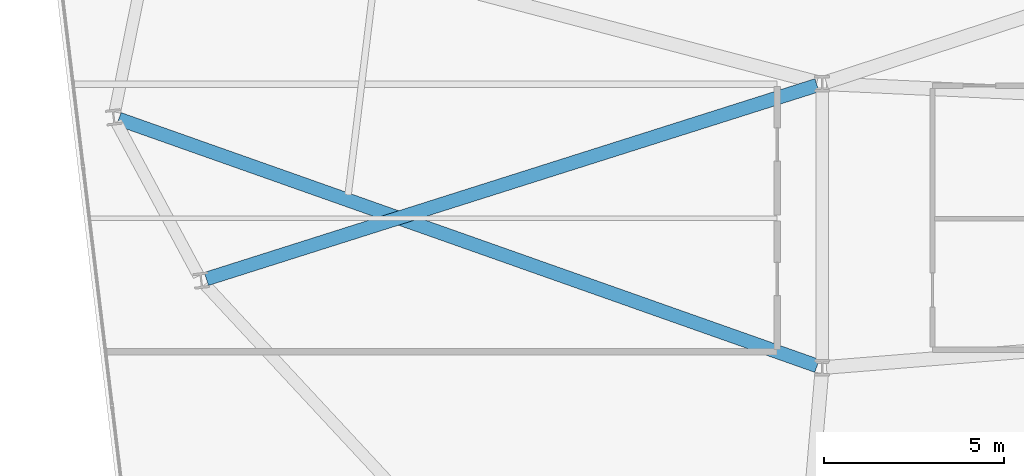
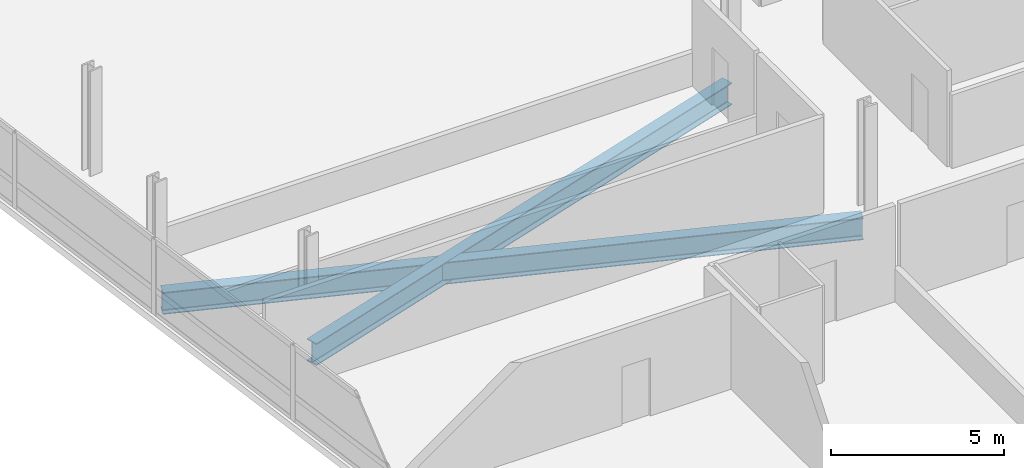
# One storey, part 5 of 22: 2 beams.
"""IFC4 building model written with IfcOpenShell, lengths in metres."""

from ifc_helpers import new_model, si_unit, direction, frame, origin, origin_2d, place, context, subcontext, project, spatial, i_section, extrude, material, material_profile, profile_set, type_object, element, save


model = new_model("IFC4")

# Units and contexts
model_context = context("Model", 3, precision=1e-05, world=origin(), true_north=direction((0.0, 1.0)))
body_context = subcontext(model_context, "Body", "Model", "MODEL_VIEW")
ifc_project = project(units=[si_unit("LENGTHUNIT", "METRE"), si_unit("AREAUNIT", "SQUARE_METRE"), si_unit("VOLUMEUNIT", "CUBIC_METRE"), si_unit("PLANEANGLEUNIT", "RADIAN"), si_unit("MASSUNIT", "GRAM", prefix="KILO")], contexts=[model_context])

# Site, building, storey
site_placement = place(None, origin())
site = spatial("IfcSite", under=ifc_project, at=site_placement, CompositionType="ELEMENT")
building_placement = place(site_placement, origin())
building = spatial("IfcBuilding", under=site, at=building_placement, Name="Varnelok Gate Tower", CompositionType="ELEMENT")
storey_placement = place(building_placement, frame((0.0, 0.0, 204.199951171875)))
storey = spatial("IfcBuildingStorey", under=building, at=storey_placement, Name="L52", CompositionType="ELEMENT", Elevation=204.199951171875)

# Beams
ifc_material = material(Name="Structural Steel ASTM A992 Grade 50", Category="steel")
ifc_material_profile = material_profile(ifc_material, i_section(OverallWidth=0.381103515625, OverallDepth=0.77294921875, WebThickness=0.0166015625, FlangeThickness=0.027099609375, FilletRadius=0.02197265625, at=origin_2d()), Name="W30X173")
ifc_profile_set = profile_set([ifc_material_profile], Name="Structural Steel ASTM A992 Grade 50")
beam_type = type_object("IfcBeamType", Name="BM-PRI-W30X173", PredefinedType="BEAM", material=ifc_profile_set)
beam_1_placement = place(storey_placement, frame((24.258544921875, 18.85009765625, -0.636474609375), z_axis=(-0.942837769657, 0.333252066923, 0.0), x_axis=(-0.333252066923, -0.942837769657, 0.0)))
element("IfcBeam", 1, at=beam_1_placement, inside=storey, type_object=beam_type, Name="L52 Radial Floor Girder 15", PredefinedType="BEAM", context=body_context, shape_type="SweptSolid", body=[
    extrude(i_section(OverallWidth=0.381103515625, OverallDepth=0.77294921875, WebThickness=0.0166015625, FlangeThickness=0.027099609375, FilletRadius=0.02197265625, at=origin_2d()), origin(), (0.0, 0.0, 1.0), 20.5458984375),
])
beam_2_placement = place(storey_placement, frame((24.257080078125, 26.634521484375, -0.636474609375), z_axis=(-0.953202154823, -0.302333676657, 0.0), x_axis=(0.302333676657, -0.953202154823, 0.0)))
element("IfcBeam", 2, at=beam_2_placement, inside=storey, type_object=beam_type, Name="L52 Radial Floor Girder 16", PredefinedType="BEAM", context=body_context, shape_type="SweptSolid", body=[
    extrude(i_section(OverallWidth=0.381103515625, OverallDepth=0.77294921875, WebThickness=0.0166015625, FlangeThickness=0.027099609375, FilletRadius=0.02197265625, at=origin_2d()), origin(), (0.0, 0.0, 1.0), 17.77099609375),
])

save(model, "model.ifc")
